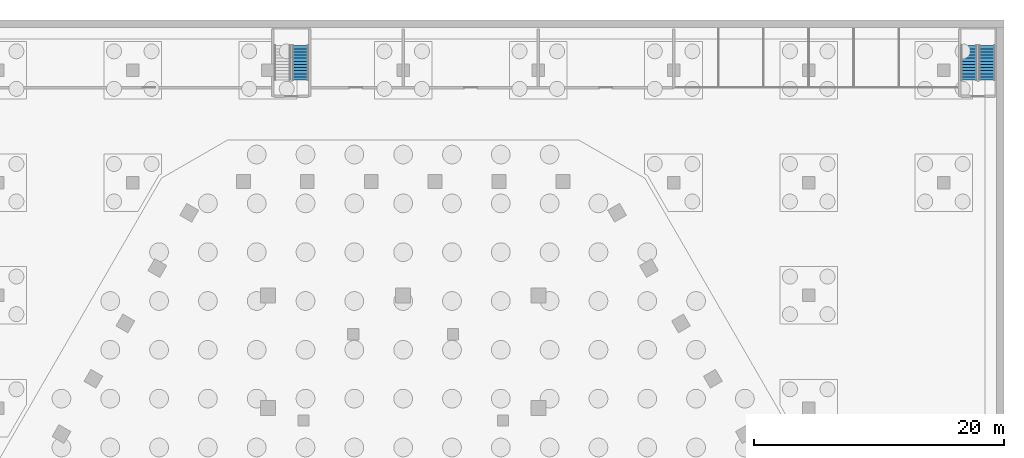
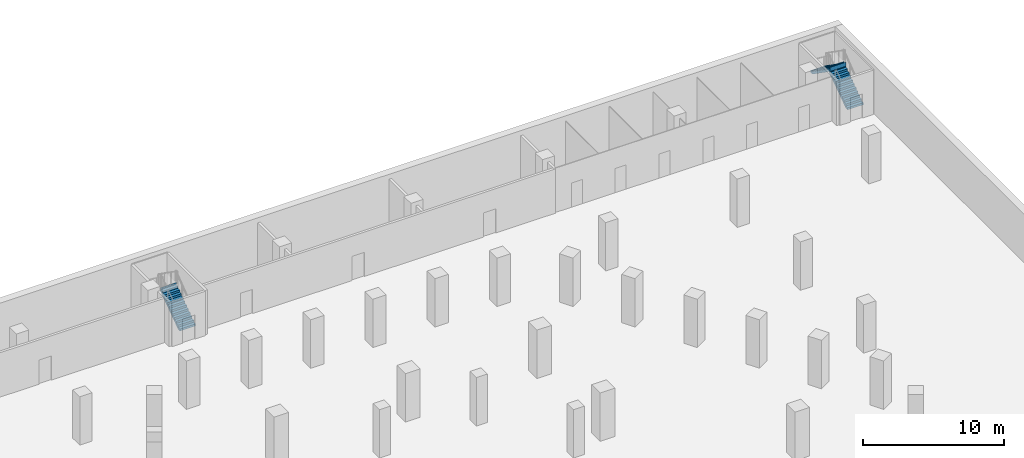
# One storey, part 15 of 21: 3 stair flights, 2 elements without a shape of their own.
"""IFC4 building model written with IfcOpenShell, lengths in metres."""

from ifc_helpers import new_model, si_unit, direction, frame, origin, place, context, subcontext, project, spatial, triangles, material, type_object, element, aggregate, save


model = new_model("IFC4")

# Units and contexts
model_context = context("Model", 3, precision=1e-05, world=origin(), true_north=direction((0.0, 1.0)))
body_context = subcontext(model_context, "Body", "Model", "MODEL_VIEW")
ifc_project = project(units=[si_unit("LENGTHUNIT", "METRE"), si_unit("AREAUNIT", "SQUARE_METRE"), si_unit("VOLUMEUNIT", "CUBIC_METRE"), si_unit("PLANEANGLEUNIT", "RADIAN"), si_unit("MASSUNIT", "GRAM", prefix="KILO")], contexts=[model_context])

# Site, building, storey
site_placement = place(None, origin())
site = spatial("IfcSite", under=ifc_project, at=site_placement, CompositionType="ELEMENT")
building_placement = place(site_placement, origin())
building = spatial("IfcBuilding", under=site, at=building_placement, Name="Beryl Residences", CompositionType="ELEMENT")
storey_placement = place(building_placement, frame((0.0, 0.0, -8.39990234375)))
storey = spatial("IfcBuildingStorey", under=building, at=storey_placement, Name="B2", CompositionType="ELEMENT", Elevation=-8.39990234375)

# Stair, stair flight
ifc_material_1 = material(Name="Concrete C40/50", Category="concrete")
stair_type = type_object("IfcStairType", Name="ST1 protected exit stair, half-turn, 1300 mm flights", PredefinedType="HALF_TURN_STAIR", material=ifc_material_1)
stair_1_placement = place(storey_placement, origin())
stair_1 = element("IfcStair", 1, at=stair_1_placement, inside=storey, type_object=stair_type, Name="B2 Basement exit stair 2", PredefinedType="HALF_TURN_STAIR")
ifc_material_2 = material(Name="Concrete C40/50", Category="concrete")
stair_flight_type = type_object("IfcStairFlightType", Name="SF1 stair flight 1300 mm", PredefinedType="STRAIGHT", material=ifc_material_2)
stair_flight_1_placement = place(storey_placement, frame((-8.199951171875, 35.199951171875, 0.0), z_axis=(0.0, 0.0, 1.0), x_axis=(0.0, 1.0, 0.0)))
stair_flight_1 = element("IfcStairFlight", 2, at=stair_flight_1_placement, type_object=stair_flight_type, Name="BS-2 flight 1", NumberOfRisers=12, NumberOfTreads=11, PredefinedType="STRAIGHT", RiserHeight=0.175, TreadLength=0.25, context=body_context, shape_type="Tessellation", body=[
    triangles([(0.0, -0.64990234375, 0.0), (0.0, -0.324951171875, 0.0), (0.0, 0.0, 0.0), (0.0, 0.324951171875, 0.0), (0.0, 0.64990234375, 0.0), (0.0, -0.64990234375, 0.175048828125), (0.0, -0.324951171875, 0.175048828125), (0.0, 0.0, 0.175048828125), (0.0, 0.324951171875, 0.175048828125), (0.0, 0.64990234375, 0.175048828125), (0.25, -0.64990234375, 0.175048828125), (0.25, -0.324951171875, 0.175048828125), (0.25, 0.0, 0.175048828125), (0.25, 0.324951171875, 0.175048828125), (0.25, 0.64990234375, 0.175048828125), (0.25, -0.64990234375, 0.35009765625), (0.25, -0.324951171875, 0.35009765625), (0.25, 0.0, 0.35009765625), (0.25, 0.324951171875, 0.35009765625), (0.25, 0.64990234375, 0.35009765625), (0.5, -0.64990234375, 0.35009765625), (0.5, -0.324951171875, 0.35009765625), (0.5, 0.0, 0.35009765625), (0.5, 0.324951171875, 0.35009765625), (0.5, 0.64990234375, 0.35009765625), (0.5, -0.64990234375, 0.52490234375), (0.5, -0.324951171875, 0.52490234375), (0.5, 0.0, 0.52490234375), (0.5, 0.324951171875, 0.52490234375), (0.5, 0.64990234375, 0.52490234375), (0.75, -0.64990234375, 0.52490234375), (0.75, -0.324951171875, 0.52490234375), (0.75, 0.0, 0.52490234375), (0.75, 0.324951171875, 0.52490234375), (0.75, 0.64990234375, 0.52490234375), (0.75, -0.64990234375, 0.699951171875), (0.75, -0.324951171875, 0.699951171875), (0.75, 0.0, 0.699951171875), (0.75, 0.324951171875, 0.699951171875), (0.75, 0.64990234375, 0.699951171875), (1.0, -0.64990234375, 0.699951171875), (1.0, -0.324951171875, 0.699951171875), (1.0, 0.0, 0.699951171875), (1.0, 0.324951171875, 0.699951171875), (1.0, 0.64990234375, 0.699951171875), (1.0, -0.64990234375, 0.875), (1.0, -0.324951171875, 0.875), (1.0, 0.0, 0.875), (1.0, 0.324951171875, 0.875), (1.0, 0.64990234375, 0.875), (1.25, -0.64990234375, 0.875), (1.25, -0.324951171875, 0.875), (1.25, 0.0, 0.875), (1.25, 0.324951171875, 0.875), (1.25, 0.64990234375, 0.875), (1.25, -0.64990234375, 1.050048828125), (1.25, -0.324951171875, 1.050048828125), (1.25, 0.0, 1.050048828125), (1.25, 0.324951171875, 1.050048828125), (1.25, 0.64990234375, 1.050048828125), (1.5, -0.64990234375, 1.050048828125), (1.5, -0.324951171875, 1.050048828125), (1.5, 0.0, 1.050048828125), (1.5, 0.324951171875, 1.050048828125), (1.5, 0.64990234375, 1.050048828125), (1.5, -0.64990234375, 1.22509765625), (1.5, -0.324951171875, 1.22509765625), (1.5, 0.0, 1.22509765625), (1.5, 0.324951171875, 1.22509765625), (1.5, 0.64990234375, 1.22509765625), (1.75, -0.64990234375, 1.22509765625), (1.75, -0.324951171875, 1.22509765625), (1.75, 0.0, 1.22509765625), (1.75, 0.324951171875, 1.22509765625), (1.75, 0.64990234375, 1.22509765625), (1.75, -0.64990234375, 1.39990234375), (1.75, -0.324951171875, 1.39990234375), (1.75, 0.0, 1.39990234375), (1.75, 0.324951171875, 1.39990234375), (1.75, 0.64990234375, 1.39990234375), (2.0, -0.64990234375, 1.39990234375), (2.0, -0.324951171875, 1.39990234375), (2.0, 0.0, 1.39990234375), (2.0, 0.324951171875, 1.39990234375), (2.0, 0.64990234375, 1.39990234375), (2.0, -0.64990234375, 1.574951171875), (2.0, -0.324951171875, 1.574951171875), (2.0, 0.0, 1.574951171875), (2.0, 0.324951171875, 1.574951171875), (2.0, 0.64990234375, 1.574951171875), (2.25, -0.64990234375, 1.574951171875), (2.25, -0.324951171875, 1.574951171875), (2.25, 0.0, 1.574951171875), (2.25, 0.324951171875, 1.574951171875), (2.25, 0.64990234375, 1.574951171875), (2.25, -0.64990234375, 1.75), (2.25, -0.324951171875, 1.75), (2.25, 0.0, 1.75), (2.25, 0.324951171875, 1.75), (2.25, 0.64990234375, 1.75), (2.5, -0.64990234375, 1.75), (2.5, -0.324951171875, 1.75), (2.5, 0.0, 1.75), (2.5, 0.324951171875, 1.75), (2.5, 0.64990234375, 1.75), (2.5, -0.64990234375, 1.925048828125), (2.5, -0.324951171875, 1.925048828125), (2.5, 0.0, 1.925048828125), (2.5, 0.324951171875, 1.925048828125), (2.5, 0.64990234375, 1.925048828125), (2.75, -0.64990234375, 1.925048828125), (2.75, -0.324951171875, 1.925048828125), (2.75, 0.0, 1.925048828125), (2.75, 0.324951171875, 1.925048828125), (2.75, 0.64990234375, 1.925048828125), (2.75, -0.64990234375, 2.10009765625), (2.75, -0.324951171875, 2.10009765625), (2.75, 0.0, 2.10009765625), (2.75, 0.324951171875, 2.10009765625), (2.75, 0.64990234375, 2.10009765625), (2.7509765625, -0.64990234375, 2.10009765625), (2.7509765625, -0.324951171875, 2.10009765625), (2.7509765625, 0.0, 2.10009765625), (2.7509765625, 0.324951171875, 2.10009765625), (2.7509765625, 0.64990234375, 2.10009765625), (2.7509765625, -0.64990234375, 1.741943359375), (2.7509765625, -0.324951171875, 1.741943359375), (2.7509765625, 0.0, 1.741943359375), (2.7509765625, 0.324951171875, 1.741943359375), (2.7509765625, 0.64990234375, 1.741943359375), (0.262451171875, -0.64990234375, 0.0), (0.262451171875, -0.324951171875, 0.0), (0.262451171875, 0.0, 0.0), (0.262451171875, 0.324951171875, 0.0), (0.262451171875, 0.64990234375, 0.0)], [[1, 6, 7], [1, 7, 2], [2, 7, 8], [2, 8, 3], [3, 8, 9], [3, 9, 4], [4, 9, 10], [4, 10, 5], [6, 11, 12], [6, 12, 7], [7, 12, 13], [7, 13, 8], [8, 13, 14], [8, 14, 9], [9, 14, 15], [9, 15, 10], [11, 16, 17], [11, 17, 12], [12, 17, 18], [12, 18, 13], [13, 18, 19], [13, 19, 14], [14, 19, 20], [14, 20, 15], [16, 21, 22], [16, 22, 17], [17, 22, 23], [17, 23, 18], [18, 23, 24], [18, 24, 19], [19, 24, 25], [19, 25, 20], [21, 26, 27], [21, 27, 22], [22, 27, 28], [22, 28, 23], [23, 28, 29], [23, 29, 24], [24, 29, 30], [24, 30, 25], [26, 31, 32], [26, 32, 27], [27, 32, 33], [27, 33, 28], [28, 33, 34], [28, 34, 29], [29, 34, 35], [29, 35, 30], [31, 36, 37], [31, 37, 32], [32, 37, 38], [32, 38, 33], [33, 38, 39], [33, 39, 34], [34, 39, 40], [34, 40, 35], [36, 41, 42], [36, 42, 37], [37, 42, 43], [37, 43, 38], [38, 43, 44], [38, 44, 39], [39, 44, 45], [39, 45, 40], [41, 46, 47], [41, 47, 42], [42, 47, 48], [42, 48, 43], [43, 48, 49], [43, 49, 44], [44, 49, 50], [44, 50, 45], [46, 51, 52], [46, 52, 47], [47, 52, 53], [47, 53, 48], [48, 53, 54], [48, 54, 49], [49, 54, 55], [49, 55, 50], [51, 56, 57], [51, 57, 52], [52, 57, 58], [52, 58, 53], [53, 58, 59], [53, 59, 54], [54, 59, 60], [54, 60, 55], [56, 61, 62], [56, 62, 57], [57, 62, 63], [57, 63, 58], [58, 63, 64], [58, 64, 59], [59, 64, 65], [59, 65, 60], [61, 66, 67], [61, 67, 62], [62, 67, 68], [62, 68, 63], [63, 68, 69], [63, 69, 64], [64, 69, 70], [64, 70, 65], [66, 71, 72], [66, 72, 67], [67, 72, 73], [67, 73, 68], [68, 73, 74], [68, 74, 69], [69, 74, 75], [69, 75, 70], [71, 76, 77], [71, 77, 72], [72, 77, 78], [72, 78, 73], [73, 78, 79], [73, 79, 74], [74, 79, 80], [74, 80, 75], [76, 81, 82], [76, 82, 77], [77, 82, 83], [77, 83, 78], [78, 83, 84], [78, 84, 79], [79, 84, 85], [79, 85, 80], [81, 86, 87], [81, 87, 82], [82, 87, 88], [82, 88, 83], [83, 88, 89], [83, 89, 84], [84, 89, 90], [84, 90, 85], [86, 91, 92], [86, 92, 87], [87, 92, 93], [87, 93, 88], [88, 93, 94], [88, 94, 89], [89, 94, 95], [89, 95, 90], [91, 96, 97], [91, 97, 92], [92, 97, 98], [92, 98, 93], [93, 98, 99], [93, 99, 94], [94, 99, 100], [94, 100, 95], [96, 101, 102], [96, 102, 97], [97, 102, 103], [97, 103, 98], [98, 103, 104], [98, 104, 99], [99, 104, 105], [99, 105, 100], [101, 106, 107], [101, 107, 102], [102, 107, 108], [102, 108, 103], [103, 108, 109], [103, 109, 104], [104, 109, 110], [104, 110, 105], [106, 111, 112], [106, 112, 107], [107, 112, 113], [107, 113, 108], [108, 113, 114], [108, 114, 109], [109, 114, 115], [109, 115, 110], [111, 116, 117], [111, 117, 112], [112, 117, 118], [112, 118, 113], [113, 118, 119], [113, 119, 114], [114, 119, 120], [114, 120, 115], [116, 121, 122], [116, 122, 117], [117, 122, 123], [117, 123, 118], [118, 123, 124], [118, 124, 119], [119, 124, 125], [119, 125, 120], [121, 126, 127], [121, 127, 122], [122, 127, 128], [122, 128, 123], [123, 128, 129], [123, 129, 124], [124, 129, 130], [124, 130, 125], [126, 131, 132], [126, 132, 127], [127, 132, 133], [127, 133, 128], [128, 133, 134], [128, 134, 129], [129, 134, 135], [129, 135, 130], [131, 1, 2], [131, 2, 132], [132, 2, 3], [132, 3, 133], [133, 3, 4], [133, 4, 134], [134, 4, 5], [134, 5, 135], [1, 131, 126], [5, 130, 135], [126, 121, 116], [130, 120, 125], [126, 116, 111], [130, 115, 120], [126, 111, 106], [130, 110, 115], [126, 106, 101], [130, 105, 110], [126, 101, 96], [130, 100, 105], [126, 96, 91], [130, 95, 100], [91, 86, 81], [95, 85, 90], [126, 91, 81], [130, 85, 95], [81, 76, 71], [85, 75, 80], [126, 81, 71], [130, 75, 85], [71, 66, 61], [75, 65, 70], [126, 71, 61], [130, 65, 75], [61, 56, 51], [65, 55, 60], [126, 61, 51], [130, 55, 65], [51, 46, 41], [55, 45, 50], [126, 51, 41], [130, 45, 55], [41, 36, 31], [45, 35, 40], [126, 41, 31], [130, 35, 45], [1, 126, 31], [5, 35, 130], [31, 26, 21], [35, 25, 30], [21, 16, 11], [25, 15, 20], [31, 21, 11], [35, 15, 25], [1, 31, 11], [5, 15, 35], [11, 6, 1], [15, 5, 10]], closed=True),
])
aggregate(stair_1, [stair_flight_1])

# Stair, stair flights
stair_2_placement = place(storey_placement, origin())
stair_2 = element("IfcStair", 3, at=stair_2_placement, inside=storey, type_object=stair_type, Name="B2 Basement exit stair 3", PredefinedType="HALF_TURN_STAIR")
stair_flight_2_placement = place(storey_placement, frame((46.64990234375, 35.199951171875, 0.0), z_axis=(0.0, 0.0, 1.0), x_axis=(0.0, 1.0, 0.0)))
stair_flight_2 = element("IfcStairFlight", 4, at=stair_flight_2_placement, type_object=stair_flight_type, Name="BS-3 flight 1", NumberOfRisers=12, NumberOfTreads=11, PredefinedType="STRAIGHT", RiserHeight=0.175, TreadLength=0.25, context=body_context, shape_type="Tessellation", body=[
    triangles([(0.0, -0.64990234375, 0.0), (0.0, -0.324951171875, 0.0), (0.0, 0.0, 0.0), (0.0, 0.324951171875, 0.0), (0.0, 0.64990234375, 0.0), (0.0, -0.64990234375, 0.175048828125), (0.0, -0.324951171875, 0.175048828125), (0.0, 0.0, 0.175048828125), (0.0, 0.324951171875, 0.175048828125), (0.0, 0.64990234375, 0.175048828125), (0.25, -0.64990234375, 0.175048828125), (0.25, -0.324951171875, 0.175048828125), (0.25, 0.0, 0.175048828125), (0.25, 0.324951171875, 0.175048828125), (0.25, 0.64990234375, 0.175048828125), (0.25, -0.64990234375, 0.35009765625), (0.25, -0.324951171875, 0.35009765625), (0.25, 0.0, 0.35009765625), (0.25, 0.324951171875, 0.35009765625), (0.25, 0.64990234375, 0.35009765625), (0.5, -0.64990234375, 0.35009765625), (0.5, -0.324951171875, 0.35009765625), (0.5, 0.0, 0.35009765625), (0.5, 0.324951171875, 0.35009765625), (0.5, 0.64990234375, 0.35009765625), (0.5, -0.64990234375, 0.52490234375), (0.5, -0.324951171875, 0.52490234375), (0.5, 0.0, 0.52490234375), (0.5, 0.324951171875, 0.52490234375), (0.5, 0.64990234375, 0.52490234375), (0.75, -0.64990234375, 0.52490234375), (0.75, -0.324951171875, 0.52490234375), (0.75, 0.0, 0.52490234375), (0.75, 0.324951171875, 0.52490234375), (0.75, 0.64990234375, 0.52490234375), (0.75, -0.64990234375, 0.699951171875), (0.75, -0.324951171875, 0.699951171875), (0.75, 0.0, 0.699951171875), (0.75, 0.324951171875, 0.699951171875), (0.75, 0.64990234375, 0.699951171875), (1.0, -0.64990234375, 0.699951171875), (1.0, -0.324951171875, 0.699951171875), (1.0, 0.0, 0.699951171875), (1.0, 0.324951171875, 0.699951171875), (1.0, 0.64990234375, 0.699951171875), (1.0, -0.64990234375, 0.875), (1.0, -0.324951171875, 0.875), (1.0, 0.0, 0.875), (1.0, 0.324951171875, 0.875), (1.0, 0.64990234375, 0.875), (1.25, -0.64990234375, 0.875), (1.25, -0.324951171875, 0.875), (1.25, 0.0, 0.875), (1.25, 0.324951171875, 0.875), (1.25, 0.64990234375, 0.875), (1.25, -0.64990234375, 1.050048828125), (1.25, -0.324951171875, 1.050048828125), (1.25, 0.0, 1.050048828125), (1.25, 0.324951171875, 1.050048828125), (1.25, 0.64990234375, 1.050048828125), (1.5, -0.64990234375, 1.050048828125), (1.5, -0.324951171875, 1.050048828125), (1.5, 0.0, 1.050048828125), (1.5, 0.324951171875, 1.050048828125), (1.5, 0.64990234375, 1.050048828125), (1.5, -0.64990234375, 1.22509765625), (1.5, -0.324951171875, 1.22509765625), (1.5, 0.0, 1.22509765625), (1.5, 0.324951171875, 1.22509765625), (1.5, 0.64990234375, 1.22509765625), (1.75, -0.64990234375, 1.22509765625), (1.75, -0.324951171875, 1.22509765625), (1.75, 0.0, 1.22509765625), (1.75, 0.324951171875, 1.22509765625), (1.75, 0.64990234375, 1.22509765625), (1.75, -0.64990234375, 1.39990234375), (1.75, -0.324951171875, 1.39990234375), (1.75, 0.0, 1.39990234375), (1.75, 0.324951171875, 1.39990234375), (1.75, 0.64990234375, 1.39990234375), (2.0, -0.64990234375, 1.39990234375), (2.0, -0.324951171875, 1.39990234375), (2.0, 0.0, 1.39990234375), (2.0, 0.324951171875, 1.39990234375), (2.0, 0.64990234375, 1.39990234375), (2.0, -0.64990234375, 1.574951171875), (2.0, -0.324951171875, 1.574951171875), (2.0, 0.0, 1.574951171875), (2.0, 0.324951171875, 1.574951171875), (2.0, 0.64990234375, 1.574951171875), (2.25, -0.64990234375, 1.574951171875), (2.25, -0.324951171875, 1.574951171875), (2.25, 0.0, 1.574951171875), (2.25, 0.324951171875, 1.574951171875), (2.25, 0.64990234375, 1.574951171875), (2.25, -0.64990234375, 1.75), (2.25, -0.324951171875, 1.75), (2.25, 0.0, 1.75), (2.25, 0.324951171875, 1.75), (2.25, 0.64990234375, 1.75), (2.5, -0.64990234375, 1.75), (2.5, -0.324951171875, 1.75), (2.5, 0.0, 1.75), (2.5, 0.324951171875, 1.75), (2.5, 0.64990234375, 1.75), (2.5, -0.64990234375, 1.925048828125), (2.5, -0.324951171875, 1.925048828125), (2.5, 0.0, 1.925048828125), (2.5, 0.324951171875, 1.925048828125), (2.5, 0.64990234375, 1.925048828125), (2.75, -0.64990234375, 1.925048828125), (2.75, -0.324951171875, 1.925048828125), (2.75, 0.0, 1.925048828125), (2.75, 0.324951171875, 1.925048828125), (2.75, 0.64990234375, 1.925048828125), (2.75, -0.64990234375, 2.10009765625), (2.75, -0.324951171875, 2.10009765625), (2.75, 0.0, 2.10009765625), (2.75, 0.324951171875, 2.10009765625), (2.75, 0.64990234375, 2.10009765625), (2.7509765625, -0.64990234375, 2.10009765625), (2.7509765625, -0.324951171875, 2.10009765625), (2.7509765625, 0.0, 2.10009765625), (2.7509765625, 0.324951171875, 2.10009765625), (2.7509765625, 0.64990234375, 2.10009765625), (2.7509765625, -0.64990234375, 1.741943359375), (2.7509765625, -0.324951171875, 1.741943359375), (2.7509765625, 0.0, 1.741943359375), (2.7509765625, 0.324951171875, 1.741943359375), (2.7509765625, 0.64990234375, 1.741943359375), (0.262451171875, -0.64990234375, 0.0), (0.262451171875, -0.324951171875, 0.0), (0.262451171875, 0.0, 0.0), (0.262451171875, 0.324951171875, 0.0), (0.262451171875, 0.64990234375, 0.0)], [[1, 6, 7], [1, 7, 2], [2, 7, 8], [2, 8, 3], [3, 8, 9], [3, 9, 4], [4, 9, 10], [4, 10, 5], [6, 11, 12], [6, 12, 7], [7, 12, 13], [7, 13, 8], [8, 13, 14], [8, 14, 9], [9, 14, 15], [9, 15, 10], [11, 16, 17], [11, 17, 12], [12, 17, 18], [12, 18, 13], [13, 18, 19], [13, 19, 14], [14, 19, 20], [14, 20, 15], [16, 21, 22], [16, 22, 17], [17, 22, 23], [17, 23, 18], [18, 23, 24], [18, 24, 19], [19, 24, 25], [19, 25, 20], [21, 26, 27], [21, 27, 22], [22, 27, 28], [22, 28, 23], [23, 28, 29], [23, 29, 24], [24, 29, 30], [24, 30, 25], [26, 31, 32], [26, 32, 27], [27, 32, 33], [27, 33, 28], [28, 33, 34], [28, 34, 29], [29, 34, 35], [29, 35, 30], [31, 36, 37], [31, 37, 32], [32, 37, 38], [32, 38, 33], [33, 38, 39], [33, 39, 34], [34, 39, 40], [34, 40, 35], [36, 41, 42], [36, 42, 37], [37, 42, 43], [37, 43, 38], [38, 43, 44], [38, 44, 39], [39, 44, 45], [39, 45, 40], [41, 46, 47], [41, 47, 42], [42, 47, 48], [42, 48, 43], [43, 48, 49], [43, 49, 44], [44, 49, 50], [44, 50, 45], [46, 51, 52], [46, 52, 47], [47, 52, 53], [47, 53, 48], [48, 53, 54], [48, 54, 49], [49, 54, 55], [49, 55, 50], [51, 56, 57], [51, 57, 52], [52, 57, 58], [52, 58, 53], [53, 58, 59], [53, 59, 54], [54, 59, 60], [54, 60, 55], [56, 61, 62], [56, 62, 57], [57, 62, 63], [57, 63, 58], [58, 63, 64], [58, 64, 59], [59, 64, 65], [59, 65, 60], [61, 66, 67], [61, 67, 62], [62, 67, 68], [62, 68, 63], [63, 68, 69], [63, 69, 64], [64, 69, 70], [64, 70, 65], [66, 71, 72], [66, 72, 67], [67, 72, 73], [67, 73, 68], [68, 73, 74], [68, 74, 69], [69, 74, 75], [69, 75, 70], [71, 76, 77], [71, 77, 72], [72, 77, 78], [72, 78, 73], [73, 78, 79], [73, 79, 74], [74, 79, 80], [74, 80, 75], [76, 81, 82], [76, 82, 77], [77, 82, 83], [77, 83, 78], [78, 83, 84], [78, 84, 79], [79, 84, 85], [79, 85, 80], [81, 86, 87], [81, 87, 82], [82, 87, 88], [82, 88, 83], [83, 88, 89], [83, 89, 84], [84, 89, 90], [84, 90, 85], [86, 91, 92], [86, 92, 87], [87, 92, 93], [87, 93, 88], [88, 93, 94], [88, 94, 89], [89, 94, 95], [89, 95, 90], [91, 96, 97], [91, 97, 92], [92, 97, 98], [92, 98, 93], [93, 98, 99], [93, 99, 94], [94, 99, 100], [94, 100, 95], [96, 101, 102], [96, 102, 97], [97, 102, 103], [97, 103, 98], [98, 103, 104], [98, 104, 99], [99, 104, 105], [99, 105, 100], [101, 106, 107], [101, 107, 102], [102, 107, 108], [102, 108, 103], [103, 108, 109], [103, 109, 104], [104, 109, 110], [104, 110, 105], [106, 111, 112], [106, 112, 107], [107, 112, 113], [107, 113, 108], [108, 113, 114], [108, 114, 109], [109, 114, 115], [109, 115, 110], [111, 116, 117], [111, 117, 112], [112, 117, 118], [112, 118, 113], [113, 118, 119], [113, 119, 114], [114, 119, 120], [114, 120, 115], [116, 121, 122], [116, 122, 117], [117, 122, 123], [117, 123, 118], [118, 123, 124], [118, 124, 119], [119, 124, 125], [119, 125, 120], [121, 126, 127], [121, 127, 122], [122, 127, 128], [122, 128, 123], [123, 128, 129], [123, 129, 124], [124, 129, 130], [124, 130, 125], [126, 131, 132], [126, 132, 127], [127, 132, 133], [127, 133, 128], [128, 133, 134], [128, 134, 129], [129, 134, 135], [129, 135, 130], [131, 1, 2], [131, 2, 132], [132, 2, 3], [132, 3, 133], [133, 3, 4], [133, 4, 134], [134, 4, 5], [134, 5, 135], [1, 131, 126], [5, 130, 135], [126, 121, 116], [130, 120, 125], [126, 116, 111], [130, 115, 120], [126, 111, 106], [130, 110, 115], [126, 106, 101], [130, 105, 110], [126, 101, 96], [130, 100, 105], [126, 96, 91], [130, 95, 100], [91, 86, 81], [95, 85, 90], [126, 91, 81], [130, 85, 95], [81, 76, 71], [85, 75, 80], [126, 81, 71], [130, 75, 85], [71, 66, 61], [75, 65, 70], [126, 71, 61], [130, 65, 75], [61, 56, 51], [65, 55, 60], [126, 61, 51], [130, 55, 65], [51, 46, 41], [55, 45, 50], [126, 51, 41], [130, 45, 55], [41, 36, 31], [45, 35, 40], [126, 41, 31], [130, 35, 45], [1, 126, 31], [5, 35, 130], [31, 26, 21], [35, 25, 30], [21, 16, 11], [25, 15, 20], [31, 21, 11], [35, 15, 25], [1, 31, 11], [5, 15, 35], [11, 6, 1], [15, 5, 10]], closed=True),
])
stair_flight_3_placement = place(storey_placement, frame((45.199951171875, 37.949951171875, 2.099853515625), z_axis=(0.0, 0.0, 1.0), x_axis=(0.0, -1.0, 0.0)))
stair_flight_3 = element("IfcStairFlight", 5, at=stair_flight_3_placement, type_object=stair_flight_type, Name="BS-3 flight 2", NumberOfRisers=12, NumberOfTreads=11, PredefinedType="STRAIGHT", RiserHeight=0.175, TreadLength=0.25, context=body_context, shape_type="Tessellation", body=[
    triangles([(0.0, -0.64990234375, 0.0), (0.0, -0.324951171875, 0.0), (0.0, 0.0, 0.0), (0.0, 0.324951171875, 0.0), (0.0, 0.64990234375, 0.0), (0.0, -0.64990234375, 0.175048828125), (0.0, -0.324951171875, 0.175048828125), (0.0, 0.0, 0.175048828125), (0.0, 0.324951171875, 0.175048828125), (0.0, 0.64990234375, 0.175048828125), (0.25, -0.64990234375, 0.175048828125), (0.25, -0.324951171875, 0.175048828125), (0.25, 0.0, 0.175048828125), (0.25, 0.324951171875, 0.175048828125), (0.25, 0.64990234375, 0.175048828125), (0.25, -0.64990234375, 0.35009765625), (0.25, -0.324951171875, 0.35009765625), (0.25, 0.0, 0.35009765625), (0.25, 0.324951171875, 0.35009765625), (0.25, 0.64990234375, 0.35009765625), (0.5, -0.64990234375, 0.35009765625), (0.5, -0.324951171875, 0.35009765625), (0.5, 0.0, 0.35009765625), (0.5, 0.324951171875, 0.35009765625), (0.5, 0.64990234375, 0.35009765625), (0.5, -0.64990234375, 0.52490234375), (0.5, -0.324951171875, 0.52490234375), (0.5, 0.0, 0.52490234375), (0.5, 0.324951171875, 0.52490234375), (0.5, 0.64990234375, 0.52490234375), (0.75, -0.64990234375, 0.52490234375), (0.75, -0.324951171875, 0.52490234375), (0.75, 0.0, 0.52490234375), (0.75, 0.324951171875, 0.52490234375), (0.75, 0.64990234375, 0.52490234375), (0.75, -0.64990234375, 0.699951171875), (0.75, -0.324951171875, 0.699951171875), (0.75, 0.0, 0.699951171875), (0.75, 0.324951171875, 0.699951171875), (0.75, 0.64990234375, 0.699951171875), (1.0, -0.64990234375, 0.699951171875), (1.0, -0.324951171875, 0.699951171875), (1.0, 0.0, 0.699951171875), (1.0, 0.324951171875, 0.699951171875), (1.0, 0.64990234375, 0.699951171875), (1.0, -0.64990234375, 0.875), (1.0, -0.324951171875, 0.875), (1.0, 0.0, 0.875), (1.0, 0.324951171875, 0.875), (1.0, 0.64990234375, 0.875), (1.25, -0.64990234375, 0.875), (1.25, -0.324951171875, 0.875), (1.25, 0.0, 0.875), (1.25, 0.324951171875, 0.875), (1.25, 0.64990234375, 0.875), (1.25, -0.64990234375, 1.050048828125), (1.25, -0.324951171875, 1.050048828125), (1.25, 0.0, 1.050048828125), (1.25, 0.324951171875, 1.050048828125), (1.25, 0.64990234375, 1.050048828125), (1.5, -0.64990234375, 1.050048828125), (1.5, -0.324951171875, 1.050048828125), (1.5, 0.0, 1.050048828125), (1.5, 0.324951171875, 1.050048828125), (1.5, 0.64990234375, 1.050048828125), (1.5, -0.64990234375, 1.22509765625), (1.5, -0.324951171875, 1.22509765625), (1.5, 0.0, 1.22509765625), (1.5, 0.324951171875, 1.22509765625), (1.5, 0.64990234375, 1.22509765625), (1.75, -0.64990234375, 1.22509765625), (1.75, -0.324951171875, 1.22509765625), (1.75, 0.0, 1.22509765625), (1.75, 0.324951171875, 1.22509765625), (1.75, 0.64990234375, 1.22509765625), (1.75, -0.64990234375, 1.39990234375), (1.75, -0.324951171875, 1.39990234375), (1.75, 0.0, 1.39990234375), (1.75, 0.324951171875, 1.39990234375), (1.75, 0.64990234375, 1.39990234375), (2.0, -0.64990234375, 1.39990234375), (2.0, -0.324951171875, 1.39990234375), (2.0, 0.0, 1.39990234375), (2.0, 0.324951171875, 1.39990234375), (2.0, 0.64990234375, 1.39990234375), (2.0, -0.64990234375, 1.574951171875), (2.0, -0.324951171875, 1.574951171875), (2.0, 0.0, 1.574951171875), (2.0, 0.324951171875, 1.574951171875), (2.0, 0.64990234375, 1.574951171875), (2.25, -0.64990234375, 1.574951171875), (2.25, -0.324951171875, 1.574951171875), (2.25, 0.0, 1.574951171875), (2.25, 0.324951171875, 1.574951171875), (2.25, 0.64990234375, 1.574951171875), (2.25, -0.64990234375, 1.75), (2.25, -0.324951171875, 1.75), (2.25, 0.0, 1.75), (2.25, 0.324951171875, 1.75), (2.25, 0.64990234375, 1.75), (2.5, -0.64990234375, 1.75), (2.5, -0.324951171875, 1.75), (2.5, 0.0, 1.75), (2.5, 0.324951171875, 1.75), (2.5, 0.64990234375, 1.75), (2.5, -0.64990234375, 1.925048828125), (2.5, -0.324951171875, 1.925048828125), (2.5, 0.0, 1.925048828125), (2.5, 0.324951171875, 1.925048828125), (2.5, 0.64990234375, 1.925048828125), (2.75, -0.64990234375, 1.925048828125), (2.75, -0.324951171875, 1.925048828125), (2.75, 0.0, 1.925048828125), (2.75, 0.324951171875, 1.925048828125), (2.75, 0.64990234375, 1.925048828125), (2.75, -0.64990234375, 2.10009765625), (2.75, -0.324951171875, 2.10009765625), (2.75, 0.0, 2.10009765625), (2.75, 0.324951171875, 2.10009765625), (2.75, 0.64990234375, 2.10009765625), (2.7509765625, -0.64990234375, 2.10009765625), (2.7509765625, -0.324951171875, 2.10009765625), (2.7509765625, 0.0, 2.10009765625), (2.7509765625, 0.324951171875, 2.10009765625), (2.7509765625, 0.64990234375, 2.10009765625), (2.7509765625, -0.64990234375, 1.741943359375), (2.7509765625, -0.324951171875, 1.741943359375), (2.7509765625, 0.0, 1.741943359375), (2.7509765625, 0.324951171875, 1.741943359375), (2.7509765625, 0.64990234375, 1.741943359375), (0.262451171875, -0.64990234375, 0.0), (0.262451171875, -0.324951171875, 0.0), (0.262451171875, 0.0, 0.0), (0.262451171875, 0.324951171875, 0.0), (0.262451171875, 0.64990234375, 0.0)], [[1, 6, 7], [1, 7, 2], [2, 7, 8], [2, 8, 3], [3, 8, 9], [3, 9, 4], [4, 9, 10], [4, 10, 5], [6, 11, 12], [6, 12, 7], [7, 12, 13], [7, 13, 8], [8, 13, 14], [8, 14, 9], [9, 14, 15], [9, 15, 10], [11, 16, 17], [11, 17, 12], [12, 17, 18], [12, 18, 13], [13, 18, 19], [13, 19, 14], [14, 19, 20], [14, 20, 15], [16, 21, 22], [16, 22, 17], [17, 22, 23], [17, 23, 18], [18, 23, 24], [18, 24, 19], [19, 24, 25], [19, 25, 20], [21, 26, 27], [21, 27, 22], [22, 27, 28], [22, 28, 23], [23, 28, 29], [23, 29, 24], [24, 29, 30], [24, 30, 25], [26, 31, 32], [26, 32, 27], [27, 32, 33], [27, 33, 28], [28, 33, 34], [28, 34, 29], [29, 34, 35], [29, 35, 30], [31, 36, 37], [31, 37, 32], [32, 37, 38], [32, 38, 33], [33, 38, 39], [33, 39, 34], [34, 39, 40], [34, 40, 35], [36, 41, 42], [36, 42, 37], [37, 42, 43], [37, 43, 38], [38, 43, 44], [38, 44, 39], [39, 44, 45], [39, 45, 40], [41, 46, 47], [41, 47, 42], [42, 47, 48], [42, 48, 43], [43, 48, 49], [43, 49, 44], [44, 49, 50], [44, 50, 45], [46, 51, 52], [46, 52, 47], [47, 52, 53], [47, 53, 48], [48, 53, 54], [48, 54, 49], [49, 54, 55], [49, 55, 50], [51, 56, 57], [51, 57, 52], [52, 57, 58], [52, 58, 53], [53, 58, 59], [53, 59, 54], [54, 59, 60], [54, 60, 55], [56, 61, 62], [56, 62, 57], [57, 62, 63], [57, 63, 58], [58, 63, 64], [58, 64, 59], [59, 64, 65], [59, 65, 60], [61, 66, 67], [61, 67, 62], [62, 67, 68], [62, 68, 63], [63, 68, 69], [63, 69, 64], [64, 69, 70], [64, 70, 65], [66, 71, 72], [66, 72, 67], [67, 72, 73], [67, 73, 68], [68, 73, 74], [68, 74, 69], [69, 74, 75], [69, 75, 70], [71, 76, 77], [71, 77, 72], [72, 77, 78], [72, 78, 73], [73, 78, 79], [73, 79, 74], [74, 79, 80], [74, 80, 75], [76, 81, 82], [76, 82, 77], [77, 82, 83], [77, 83, 78], [78, 83, 84], [78, 84, 79], [79, 84, 85], [79, 85, 80], [81, 86, 87], [81, 87, 82], [82, 87, 88], [82, 88, 83], [83, 88, 89], [83, 89, 84], [84, 89, 90], [84, 90, 85], [86, 91, 92], [86, 92, 87], [87, 92, 93], [87, 93, 88], [88, 93, 94], [88, 94, 89], [89, 94, 95], [89, 95, 90], [91, 96, 97], [91, 97, 92], [92, 97, 98], [92, 98, 93], [93, 98, 99], [93, 99, 94], [94, 99, 100], [94, 100, 95], [96, 101, 102], [96, 102, 97], [97, 102, 103], [97, 103, 98], [98, 103, 104], [98, 104, 99], [99, 104, 105], [99, 105, 100], [101, 106, 107], [101, 107, 102], [102, 107, 108], [102, 108, 103], [103, 108, 109], [103, 109, 104], [104, 109, 110], [104, 110, 105], [106, 111, 112], [106, 112, 107], [107, 112, 113], [107, 113, 108], [108, 113, 114], [108, 114, 109], [109, 114, 115], [109, 115, 110], [111, 116, 117], [111, 117, 112], [112, 117, 118], [112, 118, 113], [113, 118, 119], [113, 119, 114], [114, 119, 120], [114, 120, 115], [116, 121, 122], [116, 122, 117], [117, 122, 123], [117, 123, 118], [118, 123, 124], [118, 124, 119], [119, 124, 125], [119, 125, 120], [121, 126, 127], [121, 127, 122], [122, 127, 128], [122, 128, 123], [123, 128, 129], [123, 129, 124], [124, 129, 130], [124, 130, 125], [126, 131, 132], [126, 132, 127], [127, 132, 133], [127, 133, 128], [128, 133, 134], [128, 134, 129], [129, 134, 135], [129, 135, 130], [131, 1, 2], [131, 2, 132], [132, 2, 3], [132, 3, 133], [133, 3, 4], [133, 4, 134], [134, 4, 5], [134, 5, 135], [1, 131, 126], [5, 130, 135], [126, 121, 116], [130, 120, 125], [126, 116, 111], [130, 115, 120], [126, 111, 106], [130, 110, 115], [126, 106, 101], [130, 105, 110], [126, 101, 96], [130, 100, 105], [126, 96, 91], [130, 95, 100], [91, 86, 81], [95, 85, 90], [126, 91, 81], [130, 85, 95], [81, 76, 71], [85, 75, 80], [126, 81, 71], [130, 75, 85], [71, 66, 61], [75, 65, 70], [126, 71, 61], [130, 65, 75], [61, 56, 51], [65, 55, 60], [126, 61, 51], [130, 55, 65], [51, 46, 41], [55, 45, 50], [126, 51, 41], [130, 45, 55], [41, 36, 31], [45, 35, 40], [126, 41, 31], [130, 35, 45], [1, 126, 31], [5, 35, 130], [31, 26, 21], [35, 25, 30], [21, 16, 11], [25, 15, 20], [31, 21, 11], [35, 15, 25], [1, 31, 11], [5, 15, 35], [11, 6, 1], [15, 5, 10]], closed=True),
])
aggregate(stair_2, [stair_flight_2, stair_flight_3])

save(model, "model.ifc")
